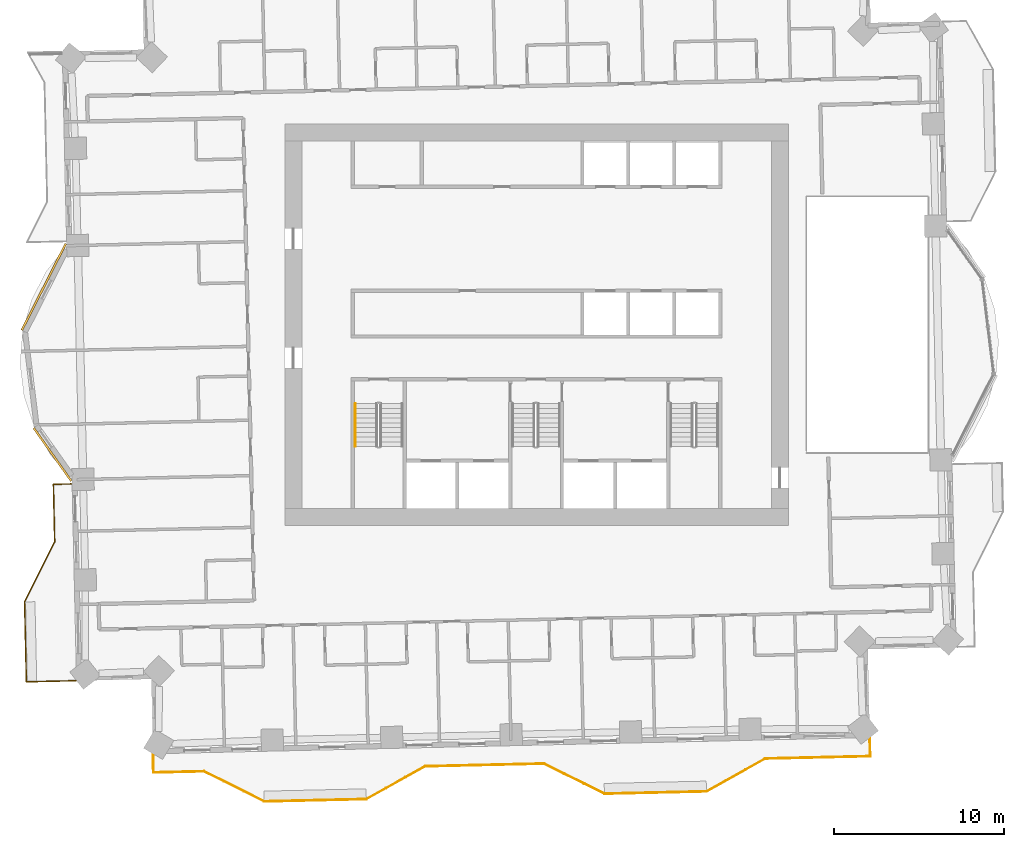
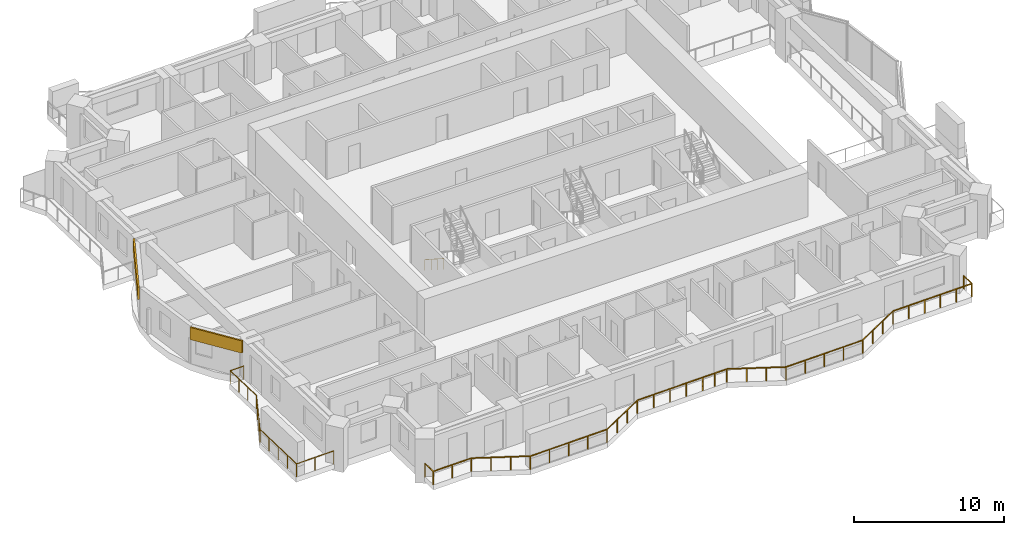
# One storey, part 13 of 16: 3 railings, 2 coverings.
"""IFC4 building model written with IfcOpenShell, lengths in metres."""

from ifc_helpers import new_model, si_unit, direction, frame, frame_2d, origin, origin_2d, place, context, subcontext, project, spatial, rectangle, circle, extrude, material, layer, layer_set, type_object, element, save


model = new_model("IFC4")

# Units and contexts
model_context = context("Model", 3, precision=1e-05, world=origin(), true_north=direction((0.0, 1.0)))
body_context = subcontext(model_context, "Body", "Model", "MODEL_VIEW")
ifc_project = project(units=[si_unit("LENGTHUNIT", "METRE"), si_unit("AREAUNIT", "SQUARE_METRE"), si_unit("VOLUMEUNIT", "CUBIC_METRE"), si_unit("PLANEANGLEUNIT", "RADIAN"), si_unit("MASSUNIT", "GRAM", prefix="KILO")], contexts=[model_context])

# Site, building, storey
site_placement = place(None, origin())
site = spatial("IfcSite", under=ifc_project, at=site_placement, CompositionType="ELEMENT")
building_placement = place(site_placement, origin())
building = spatial("IfcBuilding", under=site, at=building_placement, Name="Mangrove Gate Tower", CompositionType="ELEMENT")
storey_placement = place(building_placement, frame((0.0, 0.0, 133.699951171875)))
storey = spatial("IfcBuildingStorey", under=building, at=storey_placement, Name="L33", CompositionType="ELEMENT", Elevation=133.699951171875)

# Railings
ifc_material_1 = material(Name="Stainless steel grade 316 with laminated glass infill", Category="steel")
railing_type_1 = type_object("IfcRailingType", Name="Balcony guard 1100", PredefinedType="GUARDRAIL", material=ifc_material_1)
railing_1_placement = place(storey_placement, frame((-27.343994140625, -9.361083984375, 0.0)))
element("IfcRailing", 1, at=railing_1_placement, inside=storey, type_object=railing_type_1, Name="GUARD L33 W2", PredefinedType="GUARDRAIL", context=body_context, shape_type="SweptSolid", body=[
    extrude(rectangle(XDim=0.048095703125, YDim=0.048095703125, at=origin_2d()), frame((0.0, 0.0, 1.076171875), z_axis=(-0.999744919731, -0.022585293253, 0.0), x_axis=(0.022585293253, -0.999744919731, 0.0)), (0.0, 0.0, 1.0), 1.059326171875),
    extrude(rectangle(XDim=0.048095703125, YDim=0.048095703125, at=origin_2d()), frame((-1.05908203125, -0.02392578125, 1.076171875), z_axis=(0.022570225841, -0.999745260007, 0.0), x_axis=(0.999745260007, 0.022570225841, 0.0)), (0.0, 0.0, 1.0), 3.375),
    extrude(rectangle(XDim=0.048095703125, YDim=0.048095703125, at=origin_2d()), frame((-0.98291015625, -3.39794921875, 1.076171875), z_axis=(-0.447114919141, -0.894476522376, 0.0), x_axis=(0.894476522376, -0.447114919141, 0.0)), (0.0, 0.0, 1.0), 3.958740234375),
    extrude(rectangle(XDim=0.048095703125, YDim=0.048095703125, at=origin_2d()), frame((-2.7529296875, -6.93896484375, 1.076171875), z_axis=(0.022750903005, -0.999741164708, 0.0), x_axis=(0.999741164708, 0.022750903005, 0.0)), (0.0, 0.0, 1.0), 4.7001953125),
    extrude(rectangle(XDim=0.048095703125, YDim=0.048095703125, at=origin_2d()), frame((-2.64599609375, -11.637939453125, 1.076171875), z_axis=(0.999743349437, 0.022654696127, 0.0), x_axis=(-0.022654696127, 0.999743349437, 0.0)), (0.0, 0.0, 1.0), 2.90966796875),
    extrude(rectangle(XDim=0.0419921875, YDim=0.0419921875, at=origin_2d()), origin(), (0.0, 0.0, 1.0), 1.052001953125),
    extrude(rectangle(XDim=0.0419921875, YDim=0.0419921875, at=origin_2d()), frame((-1.05908203125, -0.02392578125, 0.0)), (0.0, 0.0, 1.0), 1.052001953125),
    extrude(rectangle(XDim=0.0419921875, YDim=0.0419921875, at=origin_2d()), frame((-1.03369140625, -1.148681640625, 0.0)), (0.0, 0.0, 1.0), 1.052001953125),
    extrude(rectangle(XDim=0.0419921875, YDim=0.0419921875, at=origin_2d()), frame((-1.00830078125, -2.273193359375, 0.0)), (0.0, 0.0, 1.0), 1.052001953125),
    extrude(rectangle(XDim=0.0419921875, YDim=0.0419921875, at=origin_2d()), frame((-0.98291015625, -3.39794921875, 0.0)), (0.0, 0.0, 1.0), 1.052001953125),
    extrude(rectangle(XDim=0.0419921875, YDim=0.0419921875, at=origin_2d()), frame((-1.572998046875, -4.578369140625, 0.0)), (0.0, 0.0, 1.0), 1.052001953125),
    extrude(rectangle(XDim=0.0419921875, YDim=0.0419921875, at=origin_2d()), frame((-2.162841796875, -5.758544921875, 0.0)), (0.0, 0.0, 1.0), 1.052001953125),
    extrude(rectangle(XDim=0.0419921875, YDim=0.0419921875, at=origin_2d()), frame((-2.7529296875, -6.93896484375, 0.0)), (0.0, 0.0, 1.0), 1.052001953125),
    extrude(rectangle(XDim=0.0419921875, YDim=0.0419921875, at=origin_2d()), frame((-2.72607421875, -8.11376953125, 0.0)), (0.0, 0.0, 1.0), 1.052001953125),
    extrude(rectangle(XDim=0.0419921875, YDim=0.0419921875, at=origin_2d()), frame((-2.699462890625, -9.28857421875, 0.0)), (0.0, 0.0, 1.0), 1.052001953125),
    extrude(rectangle(XDim=0.0419921875, YDim=0.0419921875, at=origin_2d()), frame((-2.6728515625, -10.463134765625, 0.0)), (0.0, 0.0, 1.0), 1.052001953125),
    extrude(rectangle(XDim=0.0419921875, YDim=0.0419921875, at=origin_2d()), frame((-2.64599609375, -11.637939453125, 0.0)), (0.0, 0.0, 1.0), 1.052001953125),
    extrude(rectangle(XDim=0.0419921875, YDim=0.0419921875, at=origin_2d()), frame((-1.19140625, -11.60498046875, 0.0)), (0.0, 0.0, 1.0), 1.052001953125),
    extrude(rectangle(XDim=0.0419921875, YDim=0.0419921875, at=origin_2d()), frame((0.262939453125, -11.572021484375, 0.0)), (0.0, 0.0, 1.0), 1.052001953125),
])
railing_2_placement = place(storey_placement, frame((-22.541015625, -25.27099609375, 0.0)))
element("IfcRailing", 2, at=railing_2_placement, inside=storey, type_object=railing_type_1, Name="GUARD L33 S1", PredefinedType="GUARDRAIL", context=body_context, shape_type="SweptSolid", body=[
    extrude(rectangle(XDim=0.048095703125, YDim=0.048095703125, at=origin_2d()), frame((0.0, 0.0, 1.076171875), z_axis=(0.021643938231, -0.999765742531, 0.0), x_axis=(0.999765742531, 0.021643938231, 0.0)), (0.0, 0.0, 1.0), 1.060302734375),
    extrude(rectangle(XDim=0.048095703125, YDim=0.048095703125, at=origin_2d()), frame((0.02294921875, -1.06005859375, 1.076171875), z_axis=(0.999737493065, 0.022911677392, 0.0), x_axis=(-0.022911677392, 0.999737493065, 0.0)), (0.0, 0.0, 1.0), 2.972900390625),
    extrude(rectangle(XDim=0.048095703125, YDim=0.048095703125, at=origin_2d()), frame((2.9951171875, -0.991943359375, 1.076171875), z_axis=(0.894377854182, -0.447312255532, 0.0), x_axis=(0.447312255532, 0.894377854182, 0.0)), (0.0, 0.0, 1.0), 3.959228515625),
    extrude(rectangle(XDim=0.048095703125, YDim=0.048095703125, at=origin_2d()), frame((6.5361328125, -2.762939453125, 1.076171875), z_axis=(0.999739371644, 0.02282955947, 0.0), x_axis=(-0.02282955947, 0.999739371644, 0.0)), (0.0, 0.0, 1.0), 5.999267578125),
    extrude(rectangle(XDim=0.048095703125, YDim=0.048095703125, at=origin_2d()), frame((12.533935546875, -2.6259765625, 1.076171875), z_axis=(0.873361856081, 0.487071933437, 0.0), x_axis=(-0.487071933437, 0.873361856081, 0.0)), (0.0, 0.0, 1.0), 3.958251953125),
    extrude(rectangle(XDim=0.048095703125, YDim=0.048095703125, at=origin_2d()), frame((15.990966796875, -0.697998046875, 1.076171875), z_axis=(0.999741489465, 0.022736627765, 0.0), x_axis=(-0.022736627765, 0.999741489465, 0.0)), (0.0, 0.0, 1.0), 5.100341796875),
    extrude(rectangle(XDim=0.048095703125, YDim=0.048095703125, at=origin_2d()), frame((21.090087890625, -0.58203125, 1.076171875), z_axis=(0.999744349692, 0.022610512149, 0.0), x_axis=(-0.022610512149, 0.999744349692, 0.0)), (0.0, 0.0, 1.0), 1.900390625),
    extrude(rectangle(XDim=0.048095703125, YDim=0.048095703125, at=origin_2d()), frame((22.989990234375, -0.5390625, 1.076171875), z_axis=(0.894476522376, -0.447114919141, 0.0), x_axis=(0.447114919141, 0.894476522376, 0.0)), (0.0, 0.0, 1.0), 3.958740234375),
    extrude(rectangle(XDim=0.048095703125, YDim=0.048095703125, at=origin_2d()), frame((26.531005859375, -2.30908203125, 1.076171875), z_axis=(0.999743094499, 0.022665943652, 0.0), x_axis=(-0.022665943652, 0.999743094499, 0.0)), (0.0, 0.0, 1.0), 5.99951171875),
    extrude(rectangle(XDim=0.048095703125, YDim=0.048095703125, at=origin_2d()), frame((32.529052734375, -2.173095703125, 1.076171875), z_axis=(0.873230657876, 0.487307108654, 0.0), x_axis=(-0.487307108654, 0.873230657876, 0.0)), (0.0, 0.0, 1.0), 3.958984375),
    extrude(rectangle(XDim=0.048095703125, YDim=0.048095703125, at=origin_2d()), frame((35.986083984375, -0.243896484375, 1.076171875), z_axis=(0.999743140755, 0.022663903294, 0.0), x_axis=(-0.022663903294, 0.999743140755, 0.0)), (0.0, 0.0, 1.0), 6.17236328125),
    extrude(rectangle(XDim=0.048095703125, YDim=0.048095703125, at=origin_2d()), frame((42.156982421875, -0.10400390625, 1.076171875), z_axis=(-0.022564497502, 0.999745389313, 0.0), x_axis=(-0.999745389313, -0.022564497502, 0.0)), (0.0, 0.0, 1.0), 1.060302734375),
    extrude(rectangle(XDim=0.0419921875, YDim=0.0419921875, at=origin_2d()), origin(), (0.0, 0.0, 1.0), 1.052001953125),
    extrude(rectangle(XDim=0.0419921875, YDim=0.0419921875, at=origin_2d()), frame((0.02294921875, -1.06005859375, 0.0)), (0.0, 0.0, 1.0), 1.052001953125),
    extrude(rectangle(XDim=0.0419921875, YDim=0.0419921875, at=origin_2d()), frame((1.509033203125, -1.02587890625, 0.0)), (0.0, 0.0, 1.0), 1.052001953125),
    extrude(rectangle(XDim=0.0419921875, YDim=0.0419921875, at=origin_2d()), frame((2.9951171875, -0.991943359375, 0.0)), (0.0, 0.0, 1.0), 1.052001953125),
    extrude(rectangle(XDim=0.0419921875, YDim=0.0419921875, at=origin_2d()), frame((4.175537109375, -1.582275390625, 0.0)), (0.0, 0.0, 1.0), 1.052001953125),
    extrude(rectangle(XDim=0.0419921875, YDim=0.0419921875, at=origin_2d()), frame((5.355712890625, -2.172607421875, 0.0)), (0.0, 0.0, 1.0), 1.052001953125),
    extrude(rectangle(XDim=0.0419921875, YDim=0.0419921875, at=origin_2d()), frame((6.5361328125, -2.762939453125, 0.0)), (0.0, 0.0, 1.0), 1.052001953125),
    extrude(rectangle(XDim=0.0419921875, YDim=0.0419921875, at=origin_2d()), frame((8.03564453125, -2.728759765625, 0.0)), (0.0, 0.0, 1.0), 1.052001953125),
    extrude(rectangle(XDim=0.0419921875, YDim=0.0419921875, at=origin_2d()), frame((9.53515625, -2.6943359375, 0.0)), (0.0, 0.0, 1.0), 1.052001953125),
    extrude(rectangle(XDim=0.0419921875, YDim=0.0419921875, at=origin_2d()), frame((11.034423828125, -2.66015625, 0.0)), (0.0, 0.0, 1.0), 1.052001953125),
    extrude(rectangle(XDim=0.0419921875, YDim=0.0419921875, at=origin_2d()), frame((12.533935546875, -2.6259765625, 0.0)), (0.0, 0.0, 1.0), 1.052001953125),
    extrude(rectangle(XDim=0.0419921875, YDim=0.0419921875, at=origin_2d()), frame((13.686279296875, -1.9833984375, 0.0)), (0.0, 0.0, 1.0), 1.052001953125),
    extrude(rectangle(XDim=0.0419921875, YDim=0.0419921875, at=origin_2d()), frame((14.838623046875, -1.340576171875, 0.0)), (0.0, 0.0, 1.0), 1.052001953125),
    extrude(rectangle(XDim=0.0419921875, YDim=0.0419921875, at=origin_2d()), frame((15.990966796875, -0.697998046875, 0.0)), (0.0, 0.0, 1.0), 1.052001953125),
    extrude(rectangle(XDim=0.0419921875, YDim=0.0419921875, at=origin_2d()), frame((17.265625, -0.6689453125, 0.0)), (0.0, 0.0, 1.0), 1.052001953125),
    extrude(rectangle(XDim=0.0419921875, YDim=0.0419921875, at=origin_2d()), frame((18.54052734375, -0.64013671875, 0.0)), (0.0, 0.0, 1.0), 1.052001953125),
    extrude(rectangle(XDim=0.0419921875, YDim=0.0419921875, at=origin_2d()), frame((19.8154296875, -0.611083984375, 0.0)), (0.0, 0.0, 1.0), 1.052001953125),
    extrude(rectangle(XDim=0.0419921875, YDim=0.0419921875, at=origin_2d()), frame((21.090087890625, -0.58203125, 0.0)), (0.0, 0.0, 1.0), 1.052001953125),
    extrude(rectangle(XDim=0.0419921875, YDim=0.0419921875, at=origin_2d()), frame((22.0400390625, -0.560546875, 0.0)), (0.0, 0.0, 1.0), 1.052001953125),
    extrude(rectangle(XDim=0.0419921875, YDim=0.0419921875, at=origin_2d()), frame((22.989990234375, -0.5390625, 0.0)), (0.0, 0.0, 1.0), 1.052001953125),
    extrude(rectangle(XDim=0.0419921875, YDim=0.0419921875, at=origin_2d()), frame((24.17041015625, -1.129150390625, 0.0)), (0.0, 0.0, 1.0), 1.052001953125),
    extrude(rectangle(XDim=0.0419921875, YDim=0.0419921875, at=origin_2d()), frame((25.3505859375, -1.718994140625, 0.0)), (0.0, 0.0, 1.0), 1.052001953125),
    extrude(rectangle(XDim=0.0419921875, YDim=0.0419921875, at=origin_2d()), frame((26.531005859375, -2.30908203125, 0.0)), (0.0, 0.0, 1.0), 1.052001953125),
    extrude(rectangle(XDim=0.0419921875, YDim=0.0419921875, at=origin_2d()), frame((28.030517578125, -2.275146484375, 0.0)), (0.0, 0.0, 1.0), 1.052001953125),
    extrude(rectangle(XDim=0.0419921875, YDim=0.0419921875, at=origin_2d()), frame((29.530029296875, -2.2412109375, 0.0)), (0.0, 0.0, 1.0), 1.052001953125),
    extrude(rectangle(XDim=0.0419921875, YDim=0.0419921875, at=origin_2d()), frame((31.029541015625, -2.20703125, 0.0)), (0.0, 0.0, 1.0), 1.052001953125),
    extrude(rectangle(XDim=0.0419921875, YDim=0.0419921875, at=origin_2d()), frame((32.529052734375, -2.173095703125, 0.0)), (0.0, 0.0, 1.0), 1.052001953125),
    extrude(rectangle(XDim=0.0419921875, YDim=0.0419921875, at=origin_2d()), frame((33.681396484375, -1.530029296875, 0.0)), (0.0, 0.0, 1.0), 1.052001953125),
    extrude(rectangle(XDim=0.0419921875, YDim=0.0419921875, at=origin_2d()), frame((34.833740234375, -0.886962890625, 0.0)), (0.0, 0.0, 1.0), 1.052001953125),
    extrude(rectangle(XDim=0.0419921875, YDim=0.0419921875, at=origin_2d()), frame((35.986083984375, -0.243896484375, 0.0)), (0.0, 0.0, 1.0), 1.052001953125),
    extrude(rectangle(XDim=0.0419921875, YDim=0.0419921875, at=origin_2d()), frame((37.22021484375, -0.2158203125, 0.0)), (0.0, 0.0, 1.0), 1.052001953125),
    extrude(rectangle(XDim=0.0419921875, YDim=0.0419921875, at=origin_2d()), frame((38.454345703125, -0.18798828125, 0.0)), (0.0, 0.0, 1.0), 1.052001953125),
    extrude(rectangle(XDim=0.0419921875, YDim=0.0419921875, at=origin_2d()), frame((39.688720703125, -0.159912109375, 0.0)), (0.0, 0.0, 1.0), 1.052001953125),
    extrude(rectangle(XDim=0.0419921875, YDim=0.0419921875, at=origin_2d()), frame((40.9228515625, -0.132080078125, 0.0)), (0.0, 0.0, 1.0), 1.052001953125),
    extrude(rectangle(XDim=0.0419921875, YDim=0.0419921875, at=origin_2d()), frame((42.156982421875, -0.10400390625, 0.0)), (0.0, 0.0, 1.0), 1.052001953125),
    extrude(rectangle(XDim=0.0419921875, YDim=0.0419921875, at=origin_2d()), frame((42.133056640625, 0.9560546875, 0.0)), (0.0, 0.0, 1.0), 1.052001953125),
])
ifc_material_2 = material(Name="Stainless steel 316", Category="steel")
railing_type_2 = type_object("IfcRailingType", Name="Core stair handrail 900", PredefinedType="HANDRAIL", material=ifc_material_2)
railing_3_placement = place(storey_placement, frame((-10.64990234375, -4.64990234375, 0.179931640625)))
element("IfcRailing", 3, at=railing_3_placement, inside=storey, type_object=railing_type_2, Name="L33 ST1 stair handrail 1", PredefinedType="HANDRAIL", context=body_context, shape_type="SweptSolid", body=[
    extrude(circle(Radius=0.02392578125, at=origin_2d()), frame((0.0, 0.0, 0.8759765625), z_axis=(0.0, -0.841162588446, 0.540782303519), x_axis=(1.0, 0.0, 0.0)), (0.0, 0.0, 1.0), 2.995849609375),
    extrude(circle(Radius=0.02099609375, at=origin_2d()), origin(), (0.0, 0.0, 1.0), 0.851806640625),
    extrude(circle(Radius=0.02099609375, at=origin_2d()), frame((0.0, -0.840087890625, 0.5400390625)), (0.0, 0.0, 1.0), 0.851806640625),
    extrude(circle(Radius=0.02099609375, at=origin_2d()), frame((0.0, -1.679931640625, 1.080078125)), (0.0, 0.0, 1.0), 0.851806640625),
    extrude(circle(Radius=0.02099609375, at=origin_2d()), frame((0.0, -2.52001953125, 1.6201171875)), (0.0, 0.0, 1.0), 0.851806640625),
])

# Coverings
ifc_material_3 = material(Name="Limestone", Category="masonry")
ifc_layer_1 = layer(ifc_material_3, 0.0400390625, Name="Limestone cladding")
ifc_material_4 = material(Name="Stainless steel anchors and cavity", Category="steel")
ifc_layer_2 = layer(ifc_material_4, 0.080078125, Name="Fixing cavity")
ifc_layer_set = layer_set([ifc_layer_1, ifc_layer_2], Name="Joint fascia cladding 120")
covering_type = type_object("IfcCoveringType", Name="Joint fascia cladding 120", PredefinedType="CLADDING", material=ifc_layer_set)
covering_1_placement = place(storey_placement, frame((-27.67431640625, 4.759521484375, 2.050048828125), z_axis=(0.0, 0.0, 1.0), x_axis=(-0.452615399326, -0.89170583731, 0.0)))
element("IfcCovering", 4, at=covering_1_placement, inside=storey, type_object=covering_type, Name="STONE FASCIA L33 W9.L1", PredefinedType="CLADDING", context=body_context, shape_type="SweptSolid", body=[
    extrude(rectangle(XDim=5.7041015625, YDim=0.1201171875, at=frame_2d((2.85205078125, 0.0))), origin(), (0.0, 0.0, 1.0), 1.0),
])
covering_2_placement = place(storey_placement, frame((-29.55908203125, -6.074951171875, 2.050048828125), z_axis=(0.0, 0.0, 1.0), x_axis=(0.578168098379, -0.815917673553, 0.0)))
element("IfcCovering", 5, at=covering_2_placement, inside=storey, type_object=covering_type, Name="STONE FASCIA L33 W9.L2", PredefinedType="CLADDING", context=body_context, shape_type="SweptSolid", body=[
    extrude(rectangle(XDim=3.819091796875, YDim=0.1201171875, at=frame_2d((1.90966796875, 0.0))), origin(), (0.0, 0.0, 1.0), 1.0),
])

save(model, "model.ifc")
